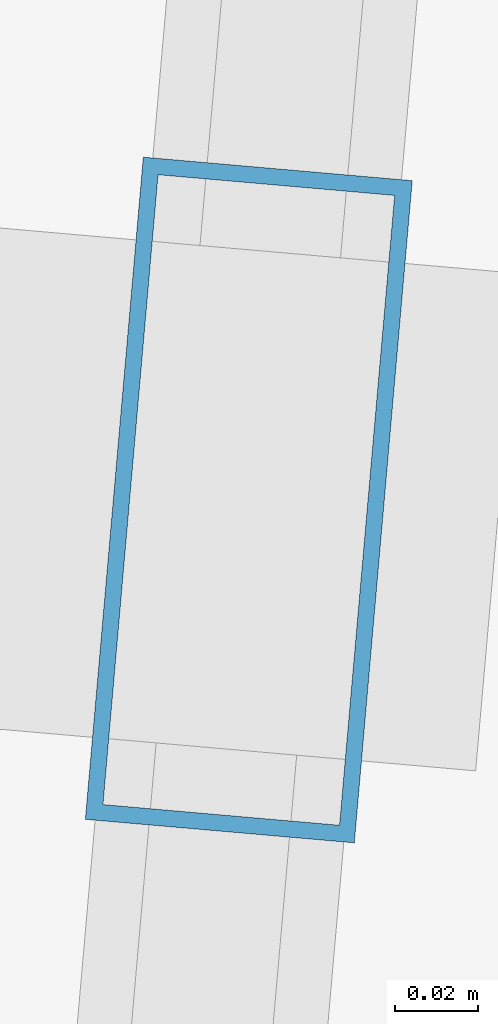
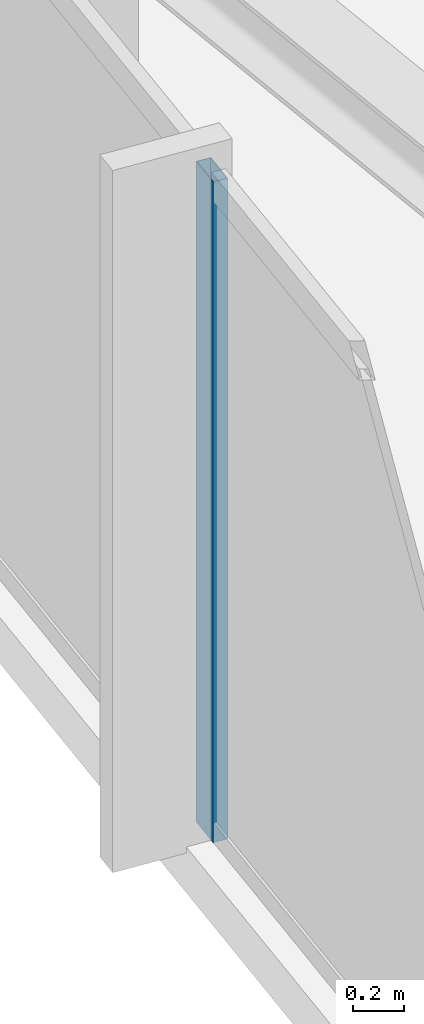
# One storey, part 5 of 32: 1 member, 1 element without a shape of its own.
"""IFC4 building model written with IfcOpenShell, lengths in metres."""

from ifc_helpers import new_model, si_unit, direction, frame, origin, origin_2d, place, context, subcontext, project, spatial, hollow_rectangle, extrude, material, material_profile, profile_set, type_object, element, aggregate, save


model = new_model("IFC4")

# Units and contexts
model_context = context("Model", 3, precision=1e-05, world=origin(), true_north=direction((0.0, 1.0)))
body_context = subcontext(model_context, "Body", "Model", "MODEL_VIEW")
ifc_project = project(units=[si_unit("LENGTHUNIT", "METRE"), si_unit("AREAUNIT", "SQUARE_METRE"), si_unit("VOLUMEUNIT", "CUBIC_METRE"), si_unit("PLANEANGLEUNIT", "RADIAN"), si_unit("MASSUNIT", "GRAM", prefix="KILO")], contexts=[model_context])

# Site, building, storey
site_placement = place(None, origin())
site = spatial("IfcSite", under=ifc_project, at=site_placement, CompositionType="ELEMENT")
building_placement = place(site_placement, origin())
building = spatial("IfcBuilding", under=site, at=building_placement, Name="Yelkora Congress Tower", CompositionType="ELEMENT")
storey_placement = place(building_placement, frame((0.0, 0.0, 262.5)))
storey = spatial("IfcBuildingStorey", under=building, at=storey_placement, Name="L73", CompositionType="ELEMENT", Elevation=262.5)

# Curtain wall, member
ifc_material_1 = material(Name="Anodised aluminium and insulated glass", Category="aluminium")
curtain_wall_type = type_object("IfcCurtainWallType", Name="CW-SYS-B5", PredefinedType="NOTDEFINED", material=ifc_material_1)
curtain_wall_placement = place(storey_placement, origin())
curtain_wall = element("IfcCurtainWall", 1, at=curtain_wall_placement, inside=storey, type_object=curtain_wall_type, Name="L73 Unitised Curtain Wall 5", PredefinedType="NOTDEFINED")
ifc_material_2 = material(Name="Anodised aluminium 6063-T6", Category="aluminium")
ifc_material_profile = material_profile(ifc_material_2, hollow_rectangle(XDim=0.06494140625, YDim=0.159912109375, WallThickness=0.00390625, at=origin_2d()), Name="ALU 65x160x4")
ifc_profile_set = profile_set([ifc_material_profile], Name="Anodised aluminium 6063-T6")
member_type = type_object("IfcMemberType", Name="MEM-ML-B5", PredefinedType="MULLION", material=ifc_profile_set)
member_placement = place(storey_placement, frame((6.313720703125, 28.49658203125, 0.0), z_axis=(0.0, 0.0, 1.0), x_axis=(-0.996194785929, 0.08715473876, 0.0)))
member = element("IfcMember", 2, at=member_placement, type_object=member_type, Name="CW-B5 mullion 2", PredefinedType="MULLION", context=body_context, shape_type="SweptSolid", body=[
    extrude(hollow_rectangle(XDim=0.06494140625, YDim=0.159912109375, WallThickness=0.00390625, at=origin_2d()), origin(), (0.0, 0.0, 1.0), 3.179931640625),
])
aggregate(curtain_wall, [member])

save(model, "model.ifc")
